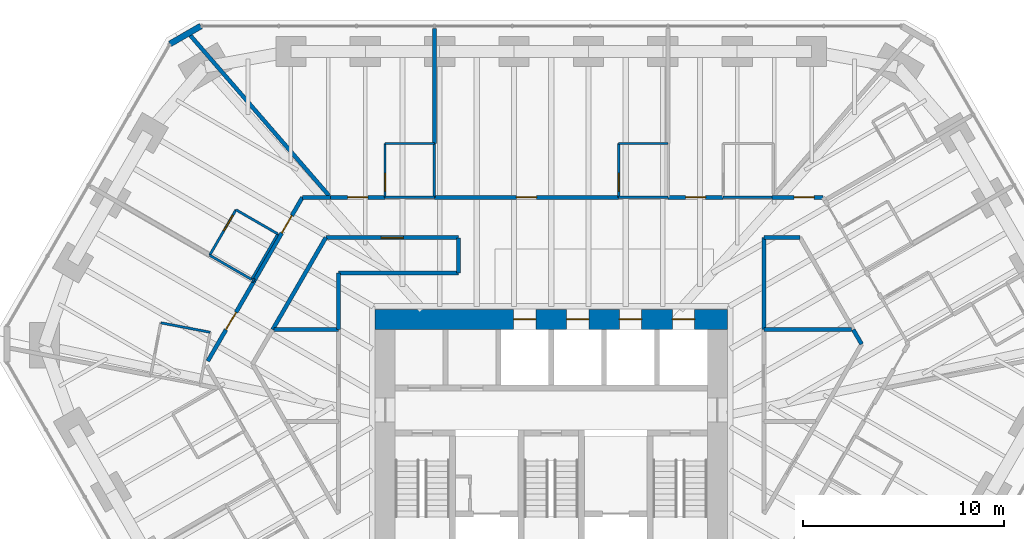
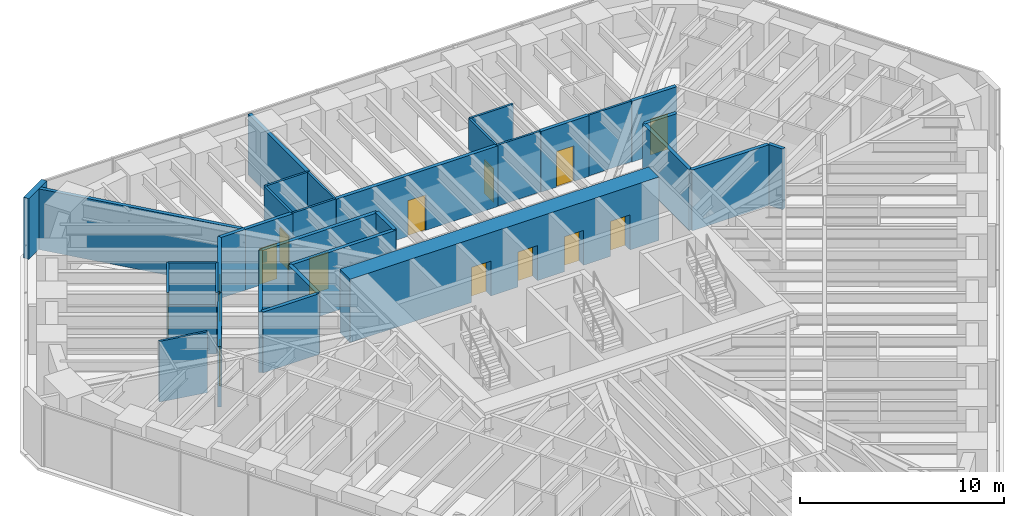
# One storey, part 14 of 17: 35 walls, 14 doors, 14 openings.
"""IFC4 building model written with IfcOpenShell, lengths in metres."""

from ifc_helpers import new_model, si_unit, direction, frame, frame_2d, origin, place, context, subcontext, project, spatial, rectangle, extrude, material, layer, layer_set, type_object, element, fill, save


model = new_model("IFC4")

# Units and contexts
model_context = context("Model", 3, precision=1e-05, world=origin(), true_north=direction((0.0, 1.0)))
body_context = subcontext(model_context, "Body", "Model", "MODEL_VIEW")
ifc_project = project(units=[si_unit("LENGTHUNIT", "METRE"), si_unit("AREAUNIT", "SQUARE_METRE"), si_unit("VOLUMEUNIT", "CUBIC_METRE"), si_unit("PLANEANGLEUNIT", "RADIAN"), si_unit("MASSUNIT", "GRAM", prefix="KILO")], contexts=[model_context])

# Site, building, storey
site_placement = place(None, origin())
site = spatial("IfcSite", under=ifc_project, at=site_placement, CompositionType="ELEMENT")
building_placement = place(site_placement, origin())
building = spatial("IfcBuilding", under=site, at=building_placement, Name="Sandreach Pilgrim Tower", CompositionType="ELEMENT")
storey_placement = place(building_placement, frame((0.0, 0.0, 213.60009765625)))
storey = spatial("IfcBuildingStorey", under=building, at=storey_placement, Name="L53", CompositionType="ELEMENT", Elevation=213.60009765625)

# Walls
ifc_material_1 = material(Name="Moisture-resistant gypsum board on steel studs", Category="steel")
ifc_layer_1 = layer(ifc_material_1, 0.1201171875)
ifc_layer_set_1 = layer_set([ifc_layer_1], Name="Bathroom partition 120")
wall_type_1 = type_object("IfcWallType", Name="Bathroom partition 120", PredefinedType="PARTITIONING", material=ifc_layer_set_1)
wall_1_placement = place(storey_placement, frame((-16.953857421875, 9.783447265625, 0.0), z_axis=(0.0, 0.0, 1.0), x_axis=(0.865862137391, -0.500282679124, 0.0)))
element("IfcWall", 1, at=wall_1_placement, inside=storey, type_object=wall_type_1, Name="Bathroom partition L53-010", PredefinedType="PARTITIONING", context=body_context, shape_type="SweptSolid", body=[
    extrude(rectangle(XDim=2.4013671875, YDim=0.1201171875, at=frame_2d((1.20068359375, 0.0))), origin(), (0.0, 0.0, 1.0), 2.8779296875),
])
wall_2_placement = place(storey_placement, frame((-16.929931640625, 5.9599609375, 0.0), z_axis=(0.0, 0.0, 1.0), x_axis=(-0.982097071605, 0.18837553436, 0.0)))
element("IfcWall", 2, at=wall_2_placement, inside=storey, type_object=wall_type_1, Name="Bathroom partition L53-012", PredefinedType="PARTITIONING", context=body_context, shape_type="SweptSolid", body=[
    extrude(rectangle(XDim=2.494873046875, YDim=0.1201171875, at=frame_2d((1.24755859375, 0.0))), origin(), (0.0, 0.0, 1.0), 3.639892578125),
])

# Wall, opening, door
wall_3_placement = place(storey_placement, frame((-15.64990234375, 12.0400390625, 0.0), z_axis=(0.0, 0.0, 1.0), x_axis=(-0.500291685314, -0.865856933682, 0.0)))
wall_3 = element("IfcWall", 3, at=wall_3_placement, inside=storey, type_object=wall_type_1, Name="Bathroom partition L53-017", PredefinedType="PARTITIONING", context=body_context, shape_type="SweptSolid", body=[
    extrude(rectangle(XDim=2.5986328125, YDim=0.1201171875, at=frame_2d((1.29931640625, 0.0))), origin(), (0.0, 0.0, 1.0), 3.639892578125),
])
opening_1_placement = place(wall_3_placement, frame((0.300048828125, 0.0, 0.0)))
opening_1 = element("IfcOpeningElement", 4, at=opening_1_placement, cuts=wall_3, Name="Opening D09-19B", PredefinedType="OPENING", context=body_context, shape_type="SweptSolid", body=[
    extrude(rectangle(XDim=0.89990234375, YDim=2.030029296875, at=frame_2d((0.449951171875, 1.01513671875))), frame((0.0, 0.06005859375, 0.0), z_axis=(0.0, -1.0, 0.0), x_axis=(1.0, 0.0, 0.0)), (0.0, 0.0, 1.0), 0.1201171875),
])
ifc_material_2 = material(Name="Timber door, steel frame", Category="steel")
door_type_1 = type_object("IfcDoorType", Name="Bathroom door", OperationType="SINGLE_SWING_LEFT", PredefinedType="DOOR", material=ifc_material_2)
door_1_placement = place(opening_1_placement, origin())
door_1 = element("IfcDoor", 5, at=door_1_placement, inside=storey, type_object=door_type_1, Name="Door 5319B", OperationType="SINGLE_SWING_LEFT", OverallHeight=2.030029296875, OverallWidth=0.89990234375, PredefinedType="DOOR", context=body_context, shape_type="SweptSolid", body=[
    extrude(rectangle(XDim=0.89990234375, YDim=2.030029296875, at=frame_2d((0.449951171875, 1.01513671875))), frame((0.0, 0.02490234375, 0.0), z_axis=(0.0, -1.0, 0.0), x_axis=(1.0, 0.0, 0.0)), (0.0, 0.0, 1.0), 0.050048828125),
])
fill(opening_1, door_1)

# Walls
wall_4_placement = place(storey_placement, frame((-14.8701171875, 8.590087890625, 0.0), z_axis=(0.0, 0.0, 1.0), x_axis=(0.500291685314, 0.865856933682, 0.0)))
element("IfcWall", 6, at=wall_4_placement, inside=storey, type_object=wall_type_1, Name="Bathroom partition L53-021", PredefinedType="PARTITIONING", context=body_context, shape_type="SweptSolid", body=[
    extrude(rectangle(XDim=2.5986328125, YDim=0.1201171875, at=frame_2d((1.29931640625, 0.0))), origin(), (0.0, 0.0, 1.0), 3.639892578125),
])
wall_5_placement = place(storey_placement, frame((-13.570068359375, 10.840087890625, 0.0), z_axis=(0.0, 0.0, 1.0), x_axis=(-0.866177122335, 0.499737123639, 0.0)))
element("IfcWall", 7, at=wall_5_placement, inside=storey, type_object=wall_type_1, Name="Bathroom partition L53-029", PredefinedType="PARTITIONING", context=body_context, shape_type="SweptSolid", body=[
    extrude(rectangle(XDim=2.401123046875, YDim=0.1201171875, at=frame_2d((1.20068359375, 0.0))), origin(), (0.0, 0.0, 1.0), 3.639892578125),
])

# Wall, opening, door
wall_6_placement = place(storey_placement, frame((-8.25, 15.330078125, 0.0), z_axis=(0.0, 0.0, 1.0), x_axis=(0.0, -1.0, 0.0)))
wall_6 = element("IfcWall", 8, at=wall_6_placement, inside=storey, type_object=wall_type_1, Name="Bathroom partition L53-045", PredefinedType="PARTITIONING", context=body_context, shape_type="SweptSolid", body=[
    extrude(rectangle(XDim=2.670166015625, YDim=0.1201171875, at=frame_2d((1.3349609375, 0.0))), origin(), (0.0, 0.0, 1.0), 3.639892578125),
])
opening_2_placement = place(wall_6_placement, frame((1.469970703125, 0.0, 0.0)))
opening_2 = element("IfcOpeningElement", 9, at=opening_2_placement, cuts=wall_6, Name="Opening D09-01B", PredefinedType="OPENING", context=body_context, shape_type="SweptSolid", body=[
    extrude(rectangle(XDim=0.89990234375, YDim=2.030029296875, at=frame_2d((0.449951171875, 1.01513671875))), frame((0.0, 0.06005859375, 0.0), z_axis=(0.0, -1.0, 0.0), x_axis=(1.0, 0.0, 0.0)), (0.0, 0.0, 1.0), 0.1201171875),
])
door_2_placement = place(opening_2_placement, origin())
door_2 = element("IfcDoor", 10, at=door_2_placement, inside=storey, type_object=door_type_1, Name="Door 5301B", OperationType="SINGLE_SWING_RIGHT", OverallHeight=2.030029296875, OverallWidth=0.89990234375, PredefinedType="DOOR", context=body_context, shape_type="SweptSolid", body=[
    extrude(rectangle(XDim=0.89990234375, YDim=2.030029296875, at=frame_2d((0.449951171875, 1.01513671875))), frame((0.0, 0.02490234375, 0.0), z_axis=(0.0, -1.0, 0.0), x_axis=(1.0, 0.0, 0.0)), (0.0, 0.0, 1.0), 0.050048828125),
])
fill(opening_2, door_2)

# Walls
for number, where, z_axis, x_axis, name in (
    (11, (-5.800048828125, 12.659912109375, 0.0), (0.0, 0.0, 1.0), (-1.0, 0.0, 0.0), "Bathroom partition L53-050"),
    (12, (-5.800048828125, 15.330078125, 0.0), (0.0, 0.0, 1.0), (-1.0, 0.0, 0.0), "Bathroom partition L53-051"),
):
    element("IfcWall", number, at=place(storey_placement, frame(where, z_axis=z_axis, x_axis=x_axis)), inside=storey, type_object=wall_type_1, Name=name, PredefinedType="PARTITIONING", context=body_context, shape_type="SweptSolid", body=[
        extrude(rectangle(XDim=2.449951171875, YDim=0.1201171875, at=frame_2d((1.22509765625, 0.0))), origin(), (0.0, 0.0, 1.0), 3.639892578125),
    ])
wall_7_placement = place(storey_placement, frame((-5.800048828125, 15.330078125, 0.0), z_axis=(0.0, 0.0, 1.0), x_axis=(0.0, -1.0, 0.0)))
element("IfcWall", 13, at=wall_7_placement, inside=storey, type_object=wall_type_1, Name="Bathroom partition L53-052", PredefinedType="PARTITIONING", context=body_context, shape_type="SweptSolid", body=[
    extrude(rectangle(XDim=2.670166015625, YDim=0.1201171875, at=frame_2d((1.3349609375, 0.0))), origin(), (0.0, 0.0, 1.0), 3.639892578125),
])

# Wall, opening, door
wall_8_placement = place(storey_placement, frame((3.35009765625, 15.330078125, 0.0), z_axis=(0.0, 0.0, 1.0), x_axis=(0.0, -1.0, 0.0)))
wall_8 = element("IfcWall", 14, at=wall_8_placement, inside=storey, type_object=wall_type_1, Name="Bathroom partition L53-082", PredefinedType="PARTITIONING", context=body_context, shape_type="SweptSolid", body=[
    extrude(rectangle(XDim=2.670166015625, YDim=0.1201171875, at=frame_2d((1.3349609375, 0.0))), origin(), (0.0, 0.0, 1.0), 3.639892578125),
])
opening_3_placement = place(wall_8_placement, frame((1.469970703125, 0.0, 0.0)))
opening_3 = element("IfcOpeningElement", 15, at=opening_3_placement, cuts=wall_8, Name="Opening D09-02B", PredefinedType="OPENING", context=body_context, shape_type="SweptSolid", body=[
    extrude(rectangle(XDim=0.89990234375, YDim=2.030029296875, at=frame_2d((0.449951171875, 1.01513671875))), frame((0.0, 0.06005859375, 0.0), z_axis=(0.0, -1.0, 0.0), x_axis=(1.0, 0.0, 0.0)), (0.0, 0.0, 1.0), 0.1201171875),
])
door_3_placement = place(opening_3_placement, origin())
door_3 = element("IfcDoor", 16, at=door_3_placement, inside=storey, type_object=door_type_1, Name="Door 5302B", OperationType="SINGLE_SWING_RIGHT", OverallHeight=2.030029296875, OverallWidth=0.89990234375, PredefinedType="DOOR", context=body_context, shape_type="SweptSolid", body=[
    extrude(rectangle(XDim=0.89990234375, YDim=2.030029296875, at=frame_2d((0.449951171875, 1.01513671875))), frame((0.0, 0.02490234375, 0.0), z_axis=(0.0, -1.0, 0.0), x_axis=(1.0, 0.0, 0.0)), (0.0, 0.0, 1.0), 0.050048828125),
])
fill(opening_3, door_3)

# Walls
for number, where, z_axis, x_axis, name in (
    (17, (5.800048828125, 12.659912109375, 0.0), (0.0, 0.0, 1.0), (-1.0, 0.0, 0.0), "Bathroom partition L53-092"),
    (18, (5.800048828125, 15.330078125, 0.0), (0.0, 0.0, 1.0), (-1.0, 0.0, 0.0), "Bathroom partition L53-093"),
):
    element("IfcWall", number, at=place(storey_placement, frame(where, z_axis=z_axis, x_axis=x_axis)), inside=storey, type_object=wall_type_1, Name=name, PredefinedType="PARTITIONING", context=body_context, shape_type="SweptSolid", body=[
        extrude(rectangle(XDim=2.449951171875, YDim=0.1201171875, at=frame_2d((1.22509765625, 0.0))), origin(), (0.0, 0.0, 1.0), 3.639892578125),
    ])
wall_9_placement = place(storey_placement, frame((10.9599609375, 12.659912109375, 0.0), z_axis=(0.0, 0.0, 1.0), x_axis=(-1.0, 0.0, 0.0)))
element("IfcWall", 19, at=wall_9_placement, inside=storey, type_object=wall_type_1, Name="Bathroom partition L53-114", PredefinedType="PARTITIONING", context=body_context, shape_type="SweptSolid", body=[
    extrude(rectangle(XDim=2.429931640625, YDim=0.1201171875, at=frame_2d((1.21484375, 0.0))), origin(), (0.0, 0.0, 1.0), 3.639892578125),
])

# Wall, openings, doors
ifc_material_3 = material(Name="Concrete 10000 psi", Category="concrete")
ifc_layer_2 = layer(ifc_material_3, 1.0)
ifc_layer_set_2 = layer_set([ifc_layer_2], Name="Core wall 1000")
wall_type_2 = type_object("IfcWallType", Name="Core wall 1000", PredefinedType="SHEAR", material=ifc_layer_set_2)
wall_10_placement = place(storey_placement, frame((-8.75, 6.60009765625, 0.0), z_axis=(0.0, 0.0, 1.0), x_axis=(1.0, 0.0, 0.0)))
wall_10 = element("IfcWall", 20, at=wall_10_placement, inside=storey, type_object=wall_type_2, Name="Core wall N L53", PredefinedType="SHEAR", context=body_context, shape_type="SweptSolid", body=[
    extrude(rectangle(XDim=17.5, YDim=1.0, at=frame_2d((8.75, 0.0))), origin(), (0.0, 0.0, 1.0), 3.7998046875),
])
opening_4_placement = place(wall_10_placement, frame((6.887451171875, 0.0, 0.0)))
opening_4 = element("IfcOpeningElement", 21, at=opening_4_placement, cuts=wall_10, Name="Opening LD11", PredefinedType="OPENING", context=body_context, shape_type="SweptSolid", body=[
    extrude(rectangle(XDim=1.10009765625, YDim=2.10009765625, at=frame_2d((0.550048828125, 1.050048828125))), frame((0.0, 0.5, 0.0), z_axis=(0.0, -1.0, 0.0), x_axis=(1.0, 0.0, 0.0)), (0.0, 0.0, 1.0), 1.0),
])
opening_5_placement = place(wall_10_placement, frame((9.512451171875, 0.0, 0.0)))
opening_5 = element("IfcOpeningElement", 22, at=opening_5_placement, cuts=wall_10, Name="Opening LD11", PredefinedType="OPENING", context=body_context, shape_type="SweptSolid", body=[
    extrude(rectangle(XDim=1.10009765625, YDim=2.10009765625, at=frame_2d((0.550048828125, 1.050048828125))), frame((0.0, 0.5, 0.0), z_axis=(0.0, -1.0, 0.0), x_axis=(1.0, 0.0, 0.0)), (0.0, 0.0, 1.0), 1.0),
])
opening_6_placement = place(wall_10_placement, frame((12.137451171875, 0.0, 0.0)))
opening_6 = element("IfcOpeningElement", 23, at=opening_6_placement, cuts=wall_10, Name="Opening LD11", PredefinedType="OPENING", context=body_context, shape_type="SweptSolid", body=[
    extrude(rectangle(XDim=1.10009765625, YDim=2.10009765625, at=frame_2d((0.550048828125, 1.050048828125))), frame((0.0, 0.5, 0.0), z_axis=(0.0, -1.0, 0.0), x_axis=(1.0, 0.0, 0.0)), (0.0, 0.0, 1.0), 1.0),
])
opening_7_placement = place(wall_10_placement, frame((14.762451171875, 0.0, 0.0)))
opening_7 = element("IfcOpeningElement", 24, at=opening_7_placement, cuts=wall_10, Name="Opening LD11", PredefinedType="OPENING", context=body_context, shape_type="SweptSolid", body=[
    extrude(rectangle(XDim=1.10009765625, YDim=2.10009765625, at=frame_2d((0.550048828125, 1.050048828125))), frame((0.0, 0.5, 0.0), z_axis=(0.0, -1.0, 0.0), x_axis=(1.0, 0.0, 0.0)), (0.0, 0.0, 1.0), 1.0),
])
ifc_material_4 = material(Name="Steel door and frame", Category="steel")
door_type_2 = type_object("IfcDoorType", Name="Lift landing door", OperationType="DOUBLE_DOOR_SLIDING", PredefinedType="DOOR", material=ifc_material_4)
door_4_placement = place(opening_4_placement, origin())
door_4 = element("IfcDoor", 25, at=door_4_placement, inside=storey, type_object=door_type_2, Name="Lift landing door Z3A L53", OperationType="DOUBLE_DOOR_SLIDING", OverallHeight=2.10009765625, OverallWidth=1.10009765625, PredefinedType="DOOR", context=body_context, shape_type="SweptSolid", body=[
    extrude(rectangle(XDim=1.10009765625, YDim=2.10009765625, at=frame_2d((0.550048828125, 1.050048828125))), frame((0.0, 0.02490234375, 0.0), z_axis=(0.0, -1.0, 0.0), x_axis=(1.0, 0.0, 0.0)), (0.0, 0.0, 1.0), 0.050048828125),
])
fill(opening_4, door_4)
door_5_placement = place(opening_5_placement, origin())
door_5 = element("IfcDoor", 26, at=door_5_placement, inside=storey, type_object=door_type_2, Name="Lift landing door Z3B L53", OperationType="DOUBLE_DOOR_SLIDING", OverallHeight=2.10009765625, OverallWidth=1.10009765625, PredefinedType="DOOR", context=body_context, shape_type="SweptSolid", body=[
    extrude(rectangle(XDim=1.10009765625, YDim=2.10009765625, at=frame_2d((0.550048828125, 1.050048828125))), frame((0.0, 0.02490234375, 0.0), z_axis=(0.0, -1.0, 0.0), x_axis=(1.0, 0.0, 0.0)), (0.0, 0.0, 1.0), 0.050048828125),
])
fill(opening_5, door_5)
door_6_placement = place(opening_6_placement, origin())
door_6 = element("IfcDoor", 27, at=door_6_placement, inside=storey, type_object=door_type_2, Name="Lift landing door Z3C L53", OperationType="DOUBLE_DOOR_SLIDING", OverallHeight=2.10009765625, OverallWidth=1.10009765625, PredefinedType="DOOR", context=body_context, shape_type="SweptSolid", body=[
    extrude(rectangle(XDim=1.10009765625, YDim=2.10009765625, at=frame_2d((0.550048828125, 1.050048828125))), frame((0.0, 0.02490234375, 0.0), z_axis=(0.0, -1.0, 0.0), x_axis=(1.0, 0.0, 0.0)), (0.0, 0.0, 1.0), 0.050048828125),
])
fill(opening_6, door_6)
door_7_placement = place(opening_7_placement, origin())
door_7 = element("IfcDoor", 28, at=door_7_placement, inside=storey, type_object=door_type_2, Name="Lift landing door Z3D L53", OperationType="DOUBLE_DOOR_SLIDING", OverallHeight=2.10009765625, OverallWidth=1.10009765625, PredefinedType="DOOR", context=body_context, shape_type="SweptSolid", body=[
    extrude(rectangle(XDim=1.10009765625, YDim=2.10009765625, at=frame_2d((0.550048828125, 1.050048828125))), frame((0.0, 0.02490234375, 0.0), z_axis=(0.0, -1.0, 0.0), x_axis=(1.0, 0.0, 0.0)), (0.0, 0.0, 1.0), 0.050048828125),
])
fill(opening_7, door_7)

# Wall, opening, door
ifc_material_5 = material(Name="Gypsum board on steel studs, two layers each side", Category="steel")
ifc_layer_3 = layer(ifc_material_5, 0.199951171875)
ifc_layer_set_3 = layer_set([ifc_layer_3], Name="Corridor wall 200")
wall_type_3 = type_object("IfcWallType", Name="Corridor wall 200", PredefinedType="PARTITIONING", material=ifc_layer_set_3)
wall_11_placement = place(storey_placement, frame((-14.75, 8.510009765625, 0.0), z_axis=(0.0, 0.0, 1.0), x_axis=(0.500618647881, 0.86566793252, 0.0)))
wall_11 = element("IfcWall", 29, at=wall_11_placement, inside=storey, type_object=wall_type_3, Name="Corridor wall L53-024", PredefinedType="PARTITIONING", context=body_context, shape_type="SweptSolid", body=[
    extrude(rectangle(XDim=4.7939453125, YDim=0.199951171875, at=frame_2d((2.39697265625, 0.0))), origin(), (0.0, 0.0, 1.0), 3.639892578125),
])
opening_8_placement = place(wall_11_placement, frame((2.75, 0.0, 0.0)))
opening_8 = element("IfcOpeningElement", 30, at=opening_8_placement, cuts=wall_11, Name="Opening D10-19", PredefinedType="OPENING", context=body_context, shape_type="SweptSolid", body=[
    extrude(rectangle(XDim=1.0, YDim=2.1298828125, at=frame_2d((0.5, 1.06494140625))), frame((0.0, 0.10009765625, 0.0), z_axis=(0.0, -1.0, 0.0), x_axis=(1.0, 0.0, 0.0)), (0.0, 0.0, 1.0), 0.199951171875),
])
ifc_material_6 = material(Name="Steel door and frame", Category="steel")
door_type_3 = type_object("IfcDoorType", Name="Guest room entry door", OperationType="SINGLE_SWING_LEFT", PredefinedType="DOOR", material=ifc_material_6)
door_8_placement = place(opening_8_placement, origin())
door_8 = element("IfcDoor", 31, at=door_8_placement, inside=storey, type_object=door_type_3, Name="Door 5319", OperationType="SINGLE_SWING_RIGHT", OverallHeight=2.1298828125, OverallWidth=1.0, PredefinedType="DOOR", context=body_context, shape_type="SweptSolid", body=[
    extrude(rectangle(XDim=1.0, YDim=2.1298828125, at=frame_2d((0.5, 1.06494140625))), frame((0.0, 0.02490234375, 0.0), z_axis=(0.0, -1.0, 0.0), x_axis=(1.0, 0.0, 0.0)), (0.0, 0.0, 1.0), 0.050048828125),
])
fill(opening_8, door_8)

wall_12_placement = place(storey_placement, frame((-14.739990234375, 8.510009765625, 0.0), z_axis=(0.0, 0.0, 1.0), x_axis=(-0.501513165407, -0.865150012959, 0.0)))
wall_12 = element("IfcWall", 32, at=wall_12_placement, inside=storey, type_object=wall_type_3, Name="Corridor wall L53-025", PredefinedType="PARTITIONING", context=body_context, shape_type="SweptSolid", body=[
    extrude(rectangle(XDim=4.600341796875, YDim=0.199951171875, at=frame_2d((2.30029296875, 0.0))), origin(), (0.0, 0.0, 1.0), 3.639892578125),
])
opening_9_placement = place(wall_12_placement, frame((1.80029296875, 0.0, 0.0)))
opening_9 = element("IfcOpeningElement", 33, at=opening_9_placement, cuts=wall_12, Name="Opening D10-18", PredefinedType="OPENING", context=body_context, shape_type="SweptSolid", body=[
    extrude(rectangle(XDim=1.0, YDim=2.1298828125, at=frame_2d((0.5, 1.06494140625))), frame((0.0, 0.10009765625, 0.0), z_axis=(0.0, -1.0, 0.0), x_axis=(1.0, 0.0, 0.0)), (0.0, 0.0, 1.0), 0.199951171875),
])
door_9_placement = place(opening_9_placement, origin())
door_9 = element("IfcDoor", 34, at=door_9_placement, inside=storey, type_object=door_type_3, Name="Door 5318", OperationType="SINGLE_SWING_LEFT", OverallHeight=2.1298828125, OverallWidth=1.0, PredefinedType="DOOR", context=body_context, shape_type="SweptSolid", body=[
    extrude(rectangle(XDim=1.0, YDim=2.1298828125, at=frame_2d((0.5, 1.06494140625))), frame((0.0, 0.02490234375, 0.0), z_axis=(0.0, -1.0, 0.0), x_axis=(1.0, 0.0, 0.0)), (0.0, 0.0, 1.0), 0.050048828125),
])
fill(opening_9, door_9)

# Wall
wall_13_placement = place(storey_placement, frame((-13.830078125, 6.090087890625, 0.0), z_axis=(0.0, 0.0, 1.0), x_axis=(0.500248310865, 0.865881993967, 0.0)))
element("IfcWall", 35, at=wall_13_placement, inside=storey, type_object=wall_type_3, Name="Corridor wall L53-027", PredefinedType="PARTITIONING", context=body_context, shape_type="SweptSolid", body=[
    extrude(rectangle(XDim=5.277587890625, YDim=0.199951171875, at=frame_2d((2.638671875, 0.0))), origin(), (0.0, 0.0, 1.0), 3.639892578125),
])

# Wall, opening, door
wall_14_placement = place(storey_placement, frame((-11.18994140625, 10.659912109375, 0.0), z_axis=(0.0, 0.0, 1.0), x_axis=(1.0, 0.0, 0.0)))
wall_14 = element("IfcWall", 36, at=wall_14_placement, inside=storey, type_object=wall_type_3, Name="Corridor wall L53-032", PredefinedType="PARTITIONING", context=body_context, shape_type="SweptSolid", body=[
    extrude(rectangle(XDim=6.58984375, YDim=0.199951171875, at=frame_2d((3.294921875, 0.0))), origin(), (0.0, 0.0, 1.0), 3.639892578125),
])
opening_10_placement = place(wall_14_placement, frame((2.7451171875, 0.0, 0.0)))
opening_10 = element("IfcOpeningElement", 37, at=opening_10_placement, cuts=wall_14, Name="Opening D11H-M03", PredefinedType="OPENING", context=body_context, shape_type="SweptSolid", body=[
    extrude(rectangle(XDim=1.10009765625, YDim=2.199951171875, at=frame_2d((0.550048828125, 1.10009765625))), frame((0.0, 0.10009765625, 0.0), z_axis=(0.0, -1.0, 0.0), x_axis=(1.0, 0.0, 0.0)), (0.0, 0.0, 1.0), 0.199951171875),
])
ifc_material_7 = material(Name="Steel door and frame", Category="steel")
door_type_4 = type_object("IfcDoorType", Name="Back of house door", OperationType="SINGLE_SWING_LEFT", PredefinedType="DOOR", material=ifc_material_7)
door_10_placement = place(opening_10_placement, origin())
door_10 = element("IfcDoor", 38, at=door_10_placement, inside=storey, type_object=door_type_4, Name="Door 53M03", OperationType="SINGLE_SWING_LEFT", OverallHeight=2.199951171875, OverallWidth=1.10009765625, PredefinedType="DOOR", context=body_context, shape_type="SweptSolid", body=[
    extrude(rectangle(XDim=1.10009765625, YDim=2.199951171875, at=frame_2d((0.550048828125, 1.10009765625))), frame((0.0, 0.02490234375, 0.0), z_axis=(0.0, -1.0, 0.0), x_axis=(1.0, 0.0, 0.0)), (0.0, 0.0, 1.0), 0.050048828125),
])
fill(opening_10, door_10)

# Walls
wall_15_placement = place(storey_placement, frame((-10.9599609375, 12.659912109375, 0.0), z_axis=(0.0, 0.0, 1.0), x_axis=(-1.0, 0.0, 0.0)))
element("IfcWall", 39, at=wall_15_placement, inside=storey, type_object=wall_type_3, Name="Corridor wall L53-034", PredefinedType="PARTITIONING", context=body_context, shape_type="SweptSolid", body=[
    extrude(rectangle(XDim=1.39013671875, YDim=0.199951171875, at=frame_2d((0.695068359375, 0.0))), origin(), (0.0, 0.0, 1.0), 3.639892578125),
])
wall_16_placement = place(storey_placement, frame((-10.550048828125, 8.889892578125, 0.0), z_axis=(0.0, 0.0, 1.0), x_axis=(0.0, -1.0, 0.0)))
element("IfcWall", 40, at=wall_16_placement, inside=storey, type_object=wall_type_3, Name="Corridor wall L53-039", PredefinedType="PARTITIONING", context=body_context, shape_type="SweptSolid", body=[
    extrude(rectangle(XDim=2.7998046875, YDim=0.199951171875, at=frame_2d((1.39990234375, 0.0))), origin(), (0.0, 0.0, 1.0), 3.639892578125),
])

# Wall, opening, door
wall_17_placement = place(storey_placement, frame((-8.25, 12.659912109375, 0.0), z_axis=(0.0, 0.0, 1.0), x_axis=(-1.0, 0.0, 0.0)))
wall_17 = element("IfcWall", 41, at=wall_17_placement, inside=storey, type_object=wall_type_3, Name="Corridor wall L53-044", PredefinedType="PARTITIONING", context=body_context, shape_type="SweptSolid", body=[
    extrude(rectangle(XDim=2.7099609375, YDim=0.199951171875, at=frame_2d((1.35498046875, 0.0))), origin(), (0.0, 0.0, 1.0), 3.639892578125),
])
opening_11_placement = place(wall_17_placement, frame((0.85498046875, 0.0, 0.0)))
opening_11 = element("IfcOpeningElement", 42, at=opening_11_placement, cuts=wall_17, Name="Opening D10-01", PredefinedType="OPENING", context=body_context, shape_type="SweptSolid", body=[
    extrude(rectangle(XDim=1.0, YDim=2.1298828125, at=frame_2d((0.5, 1.06494140625))), frame((0.0, 0.10009765625, 0.0), z_axis=(0.0, -1.0, 0.0), x_axis=(1.0, 0.0, 0.0)), (0.0, 0.0, 1.0), 0.199951171875),
])
door_11_placement = place(opening_11_placement, origin())
door_11 = element("IfcDoor", 43, at=door_11_placement, inside=storey, type_object=door_type_3, Name="Door 5301", OperationType="SINGLE_SWING_LEFT", OverallHeight=2.1298828125, OverallWidth=1.0, PredefinedType="DOOR", context=body_context, shape_type="SweptSolid", body=[
    extrude(rectangle(XDim=1.0, YDim=2.1298828125, at=frame_2d((0.5, 1.06494140625))), frame((0.0, 0.02490234375, 0.0), z_axis=(0.0, -1.0, 0.0), x_axis=(1.0, 0.0, 0.0)), (0.0, 0.0, 1.0), 0.050048828125),
])
fill(opening_11, door_11)

# Walls
wall_18_placement = place(storey_placement, frame((-4.60009765625, 8.89990234375, 0.0), z_axis=(0.0, 0.0, 1.0), x_axis=(-1.0, 0.0, 0.0)))
element("IfcWall", 44, at=wall_18_placement, inside=storey, type_object=wall_type_3, Name="Corridor wall L53-055", PredefinedType="PARTITIONING", context=body_context, shape_type="SweptSolid", body=[
    extrude(rectangle(XDim=5.949951171875, YDim=0.199951171875, at=frame_2d((2.97509765625, 0.0))), origin(), (0.0, 0.0, 1.0), 3.639892578125),
])
wall_19_placement = place(storey_placement, frame((-4.60009765625, 10.64990234375, 0.0), z_axis=(0.0, 0.0, 1.0), x_axis=(0.0, -1.0, 0.0)))
element("IfcWall", 45, at=wall_19_placement, inside=storey, type_object=wall_type_3, Name="Corridor wall L53-056", PredefinedType="PARTITIONING", context=body_context, shape_type="SweptSolid", body=[
    extrude(rectangle(XDim=1.739990234375, YDim=0.199951171875, at=frame_2d((0.8701171875, 0.0))), origin(), (0.0, 0.0, 1.0), 3.639892578125),
])

# Wall, opening, door
wall_20_placement = place(storey_placement, frame((3.35009765625, 12.659912109375, 0.0), z_axis=(0.0, 0.0, 1.0), x_axis=(-1.0, 0.0, 0.0)))
wall_20 = element("IfcWall", 46, at=wall_20_placement, inside=storey, type_object=wall_type_3, Name="Corridor wall L53-081", PredefinedType="PARTITIONING", context=body_context, shape_type="SweptSolid", body=[
    extrude(rectangle(XDim=9.150146484375, YDim=0.199951171875, at=frame_2d((4.5751953125, 0.0))), origin(), (0.0, 0.0, 1.0), 3.639892578125),
])
opening_12_placement = place(wall_20_placement, frame((4.074951171875, 0.0, 0.0)))
opening_12 = element("IfcOpeningElement", 47, at=opening_12_placement, cuts=wall_20, Name="Opening D10-02", PredefinedType="OPENING", context=body_context, shape_type="SweptSolid", body=[
    extrude(rectangle(XDim=1.0, YDim=2.1298828125, at=frame_2d((0.5, 1.06494140625))), frame((0.0, 0.10009765625, 0.0), z_axis=(0.0, -1.0, 0.0), x_axis=(1.0, 0.0, 0.0)), (0.0, 0.0, 1.0), 0.199951171875),
])
door_12_placement = place(opening_12_placement, origin())
door_12 = element("IfcDoor", 48, at=door_12_placement, inside=storey, type_object=door_type_3, Name="Door 5302", OperationType="SINGLE_SWING_LEFT", OverallHeight=2.1298828125, OverallWidth=1.0, PredefinedType="DOOR", context=body_context, shape_type="SweptSolid", body=[
    extrude(rectangle(XDim=1.0, YDim=2.1298828125, at=frame_2d((0.5, 1.06494140625))), frame((0.0, 0.02490234375, 0.0), z_axis=(0.0, -1.0, 0.0), x_axis=(1.0, 0.0, 0.0)), (0.0, 0.0, 1.0), 0.050048828125),
])
fill(opening_12, door_12)

wall_21_placement = place(storey_placement, frame((8.530029296875, 12.659912109375, 0.0), z_axis=(0.0, 0.0, 1.0), x_axis=(-1.0, 0.0, 0.0)))
wall_21 = element("IfcWall", 49, at=wall_21_placement, inside=storey, type_object=wall_type_3, Name="Corridor wall L53-103", PredefinedType="PARTITIONING", context=body_context, shape_type="SweptSolid", body=[
    extrude(rectangle(XDim=2.72998046875, YDim=0.199951171875, at=frame_2d((1.364990234375, 0.0))), origin(), (0.0, 0.0, 1.0), 3.639892578125),
])
opening_13_placement = place(wall_21_placement, frame((0.864990234375, 0.0, 0.0)))
opening_13 = element("IfcOpeningElement", 50, at=opening_13_placement, cuts=wall_21, Name="Opening D10-03", PredefinedType="OPENING", context=body_context, shape_type="SweptSolid", body=[
    extrude(rectangle(XDim=1.0, YDim=2.1298828125, at=frame_2d((0.5, 1.06494140625))), frame((0.0, 0.10009765625, 0.0), z_axis=(0.0, -1.0, 0.0), x_axis=(1.0, 0.0, 0.0)), (0.0, 0.0, 1.0), 0.199951171875),
])
door_13_placement = place(opening_13_placement, origin())
door_13 = element("IfcDoor", 51, at=door_13_placement, inside=storey, type_object=door_type_3, Name="Door 5303", OperationType="SINGLE_SWING_LEFT", OverallHeight=2.1298828125, OverallWidth=1.0, PredefinedType="DOOR", context=body_context, shape_type="SweptSolid", body=[
    extrude(rectangle(XDim=1.0, YDim=2.1298828125, at=frame_2d((0.5, 1.06494140625))), frame((0.0, 0.02490234375, 0.0), z_axis=(0.0, -1.0, 0.0), x_axis=(1.0, 0.0, 0.0)), (0.0, 0.0, 1.0), 0.050048828125),
])
fill(opening_13, door_13)

# Walls
wall_22_placement = place(storey_placement, frame((10.550048828125, 6.090087890625, 0.0), z_axis=(0.0, 0.0, 1.0), x_axis=(0.0, 1.0, 0.0)))
element("IfcWall", 52, at=wall_22_placement, inside=storey, type_object=wall_type_3, Name="Corridor wall L53-111", PredefinedType="PARTITIONING", context=body_context, shape_type="SweptSolid", body=[
    extrude(rectangle(XDim=4.56982421875, YDim=0.199951171875, at=frame_2d((2.284912109375, 0.0))), origin(), (0.0, 0.0, 1.0), 3.639892578125),
])
wall_23_placement = place(storey_placement, frame((10.56005859375, 10.659912109375, 0.0), z_axis=(0.0, 0.0, 1.0), x_axis=(1.0, 0.0, 0.0)))
element("IfcWall", 53, at=wall_23_placement, inside=storey, type_object=wall_type_3, Name="Corridor wall L53-113", PredefinedType="PARTITIONING", context=body_context, shape_type="SweptSolid", body=[
    extrude(rectangle(XDim=1.7900390625, YDim=0.199951171875, at=frame_2d((0.89501953125, 0.0))), origin(), (0.0, 0.0, 1.0), 3.639892578125),
])

# Wall, opening, door
wall_24_placement = place(storey_placement, frame((13.5, 12.659912109375, 0.0), z_axis=(0.0, 0.0, 1.0), x_axis=(-1.0, 0.0, 0.0)))
wall_24 = element("IfcWall", 54, at=wall_24_placement, inside=storey, type_object=wall_type_3, Name="Corridor wall L53-121", PredefinedType="PARTITIONING", context=body_context, shape_type="SweptSolid", body=[
    extrude(rectangle(XDim=2.5400390625, YDim=0.199951171875, at=frame_2d((1.27001953125, 0.0))), origin(), (0.0, 0.0, 1.0), 3.639892578125),
])
opening_14_placement = place(wall_24_placement, frame((0.449951171875, 0.0, 0.0)))
opening_14 = element("IfcOpeningElement", 55, at=opening_14_placement, cuts=wall_24, Name="Opening D10-04", PredefinedType="OPENING", context=body_context, shape_type="SweptSolid", body=[
    extrude(rectangle(XDim=1.0, YDim=2.1298828125, at=frame_2d((0.5, 1.06494140625))), frame((0.0, 0.10009765625, 0.0), z_axis=(0.0, -1.0, 0.0), x_axis=(1.0, 0.0, 0.0)), (0.0, 0.0, 1.0), 0.199951171875),
])
door_14_placement = place(opening_14_placement, origin())
door_14 = element("IfcDoor", 56, at=door_14_placement, inside=storey, type_object=door_type_3, Name="Door 5304", OperationType="SINGLE_SWING_LEFT", OverallHeight=2.1298828125, OverallWidth=1.0, PredefinedType="DOOR", context=body_context, shape_type="SweptSolid", body=[
    extrude(rectangle(XDim=1.0, YDim=2.1298828125, at=frame_2d((0.5, 1.06494140625))), frame((0.0, 0.02490234375, 0.0), z_axis=(0.0, -1.0, 0.0), x_axis=(1.0, 0.0, 0.0)), (0.0, 0.0, 1.0), 0.050048828125),
])
fill(opening_14, door_14)

# Walls
wall_25_placement = place(storey_placement, frame((14.989990234375, 6.090087890625, 0.0), z_axis=(0.0, 0.0, 1.0), x_axis=(0.503816387241, -0.863810770914, 0.0)))
element("IfcWall", 57, at=wall_25_placement, inside=storey, type_object=wall_type_3, Name="Corridor wall L53-128", PredefinedType="PARTITIONING", context=body_context, shape_type="SweptSolid", body=[
    extrude(rectangle(XDim=0.83349609375, YDim=0.199951171875, at=frame_2d((0.416748046875, 0.0))), origin(), (0.0, 0.0, 1.0), 3.639892578125),
])
ifc_material_8 = material(Name="Double steel stud acoustic wall, gypsum board", Category="steel")
ifc_layer_4 = layer(ifc_material_8, 0.199951171875)
ifc_layer_set_4 = layer_set([ifc_layer_4], Name="Party wall 200")
wall_type_4 = type_object("IfcWallType", Name="Party wall 200", PredefinedType="PARTITIONING", material=ifc_layer_set_4)
wall_26_placement = place(storey_placement, frame((-14.826904296875, 8.554443359375, 0.0), z_axis=(0.0, 0.0, 1.0), x_axis=(0.865865073245, -0.500277597875, 0.0)))
element("IfcWall", 58, at=wall_26_placement, inside=storey, type_object=wall_type_4, Name="Party wall L53-023", PredefinedType="PARTITIONING", context=body_context, shape_type="SweptSolid", body=[
    extrude(rectangle(XDim=0.0888671875, YDim=0.199951171875, at=frame_2d((0.04443359375, 0.0))), origin(), (0.0, 0.0, 1.0), 3.639892578125),
])
wall_27_placement = place(storey_placement, frame((-13.7548828125, 6.090087890625, 0.0), z_axis=(0.0, 0.0, 1.0), x_axis=(1.0, 0.0, 0.0)))
element("IfcWall", 59, at=wall_27_placement, inside=storey, type_object=wall_type_4, Name="Party wall L53-028", PredefinedType="PARTITIONING", context=body_context, shape_type="SweptSolid", body=[
    extrude(rectangle(XDim=3.19482421875, YDim=0.199951171875, at=frame_2d((1.597412109375, 0.0))), origin(), (0.0, 0.0, 1.0), 3.639892578125),
])
wall_28_placement = place(storey_placement, frame((-11.02880859375, 12.739501953125, 0.0), z_axis=(0.0, 0.0, 1.0), x_axis=(-0.654429261747, 0.756123231603, 0.0)))
element("IfcWall", 60, at=wall_28_placement, inside=storey, type_object=wall_type_4, Name="Party wall L53-033", PredefinedType="PARTITIONING", context=body_context, shape_type="SweptSolid", body=[
    extrude(rectangle(XDim=10.683349609375, YDim=0.199951171875, at=frame_2d((5.341796875, 0.0))), origin(), (0.0, 0.0, 1.0), 3.639892578125),
])
wall_29_placement = place(storey_placement, frame((-5.800048828125, 21.0400390625, 0.0), z_axis=(0.0, 0.0, 1.0), x_axis=(0.0, -1.0, 0.0)))
element("IfcWall", 61, at=wall_29_placement, inside=storey, type_object=wall_type_4, Name="Party wall L53-053", PredefinedType="PARTITIONING", context=body_context, shape_type="SweptSolid", body=[
    extrude(rectangle(XDim=5.7099609375, YDim=0.199951171875, at=frame_2d((2.85498046875, 0.0))), origin(), (0.0, 0.0, 1.0), 3.639892578125),
])
wall_30_placement = place(storey_placement, frame((14.9150390625, 6.090087890625, 0.0), z_axis=(0.0, 0.0, 1.0), x_axis=(-1.0, 0.0, 0.0)))
element("IfcWall", 62, at=wall_30_placement, inside=storey, type_object=wall_type_4, Name="Party wall L53-127", PredefinedType="PARTITIONING", context=body_context, shape_type="SweptSolid", body=[
    extrude(rectangle(XDim=4.35498046875, YDim=0.199951171875, at=frame_2d((2.177490234375, 0.0))), origin(), (0.0, 0.0, 1.0), 3.639892578125),
])
ifc_material_9 = material(Name="Terracotta rainscreen on concrete", Category="masonry")
ifc_layer_5 = layer(ifc_material_9, 0.300048828125)
ifc_layer_set_5 = layer_set([ifc_layer_5], Name="Terracotta chamfer pier")
wall_type_5 = type_object("IfcWallType", Name="Terracotta chamfer pier", PredefinedType="SOLIDWALL", material=ifc_layer_set_5)
wall_31_placement = place(storey_placement, frame((-18.9228515625, 20.275146484375, 0.0), z_axis=(0.0, 0.0, 1.0), x_axis=(0.866036293601, 0.499981137809, 0.0)))
element("IfcWall", 63, at=wall_31_placement, inside=storey, type_object=wall_type_5, Name="Chamfer pier L53 NW", PredefinedType="SOLIDWALL", context=body_context, shape_type="SweptSolid", body=[
    extrude(rectangle(XDim=1.77001953125, YDim=0.300048828125, at=frame_2d((0.885009765625, 0.0))), origin(), (0.0, 0.0, 1.0), 3.639892578125),
])

save(model, "model.ifc")
